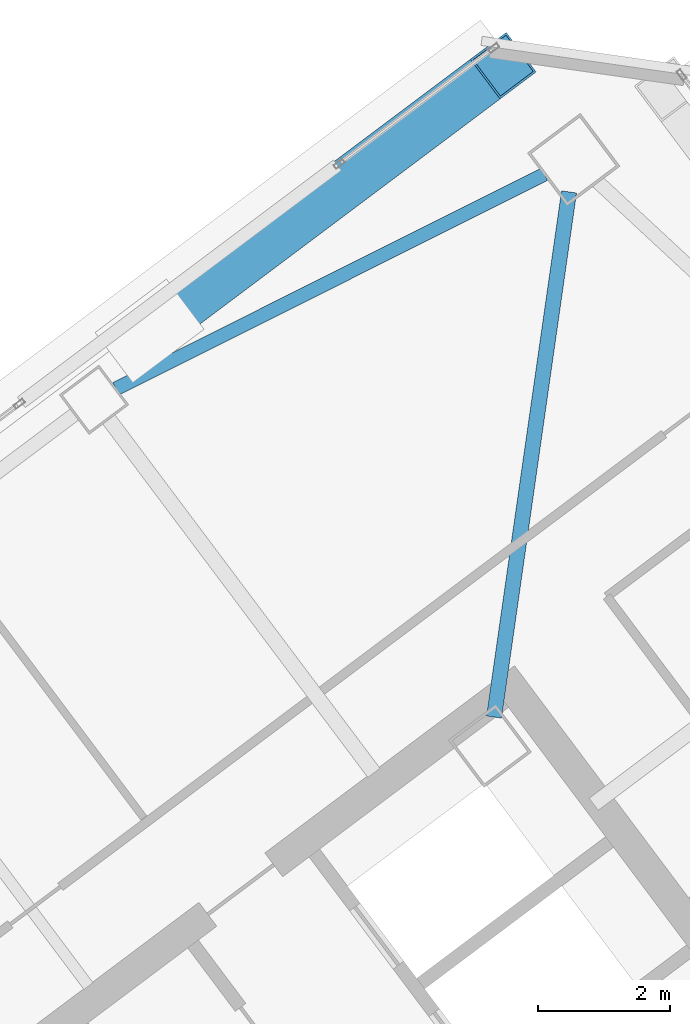
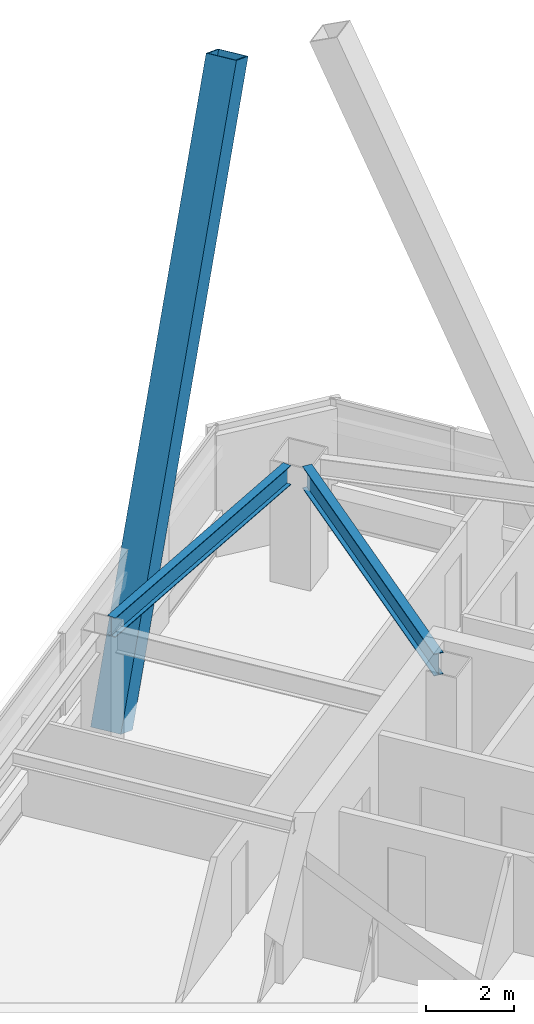
# One storey, part 41 of 56: 2 beams, 1 member.
"""IFC4 building model written with IfcOpenShell, lengths in metres."""

from ifc_helpers import new_model, si_unit, direction, frame, origin, origin_2d, place, context, subcontext, project, spatial, hollow_rectangle, i_section, extrude, material, material_profile, profile_set, type_object, element, save


model = new_model("IFC4")

# Units and contexts
model_context = context("Model", 3, precision=1e-05, world=origin(), true_north=direction((0.0, 1.0)))
body_context = subcontext(model_context, "Body", "Model", "MODEL_VIEW")
ifc_project = project(units=[si_unit("LENGTHUNIT", "METRE"), si_unit("AREAUNIT", "SQUARE_METRE"), si_unit("VOLUMEUNIT", "CUBIC_METRE"), si_unit("PLANEANGLEUNIT", "RADIAN"), si_unit("MASSUNIT", "GRAM", prefix="KILO")], contexts=[model_context])

# Site, building, storey
site_placement = place(None, origin())
site = spatial("IfcSite", under=ifc_project, at=site_placement, CompositionType="ELEMENT")
building_placement = place(site_placement, origin())
building = spatial("IfcBuilding", under=site, at=building_placement, Name="Tashvorn Skyway Center", CompositionType="ELEMENT")
storey_placement = place(building_placement, frame((0.0, 0.0, 218.39990234375)))
storey = spatial("IfcBuildingStorey", under=building, at=storey_placement, Name="L59", CompositionType="ELEMENT", Elevation=218.39990234375)

# Beams
ifc_material_1 = material(Name="Steel ASTM A992 Grade 50", Category="steel")
ifc_material_profile_1 = material_profile(ifc_material_1, i_section(OverallWidth=0.22998046875, OverallDepth=0.616943359375, WebThickness=0.01318359375, FlangeThickness=0.022216796875, at=origin_2d()), Name="W24X94")
ifc_profile_set_1 = profile_set([ifc_material_profile_1], Name="Steel ASTM A992 Grade 50")
beam_type_1 = type_object("IfcBeamType", Name="BM-BEAM-W24X94", PredefinedType="BEAM", material=ifc_profile_set_1)
beam_1_placement = place(storey_placement, frame((116.610107421875, 50.27001953125, 3.0615234375), z_axis=(-0.141438360399, -0.989947064346, 0.0), x_axis=(0.989947064346, -0.141438360399, 0.0)))
element("IfcBeam", 1, at=beam_1_placement, inside=storey, type_object=beam_type_1, Name="Tower 2 L59 Primary Floor Girder MC-NE", PredefinedType="BEAM", context=body_context, shape_type="SweptSolid", body=[
    extrude(i_section(OverallWidth=0.22998046875, OverallDepth=0.616943359375, WebThickness=0.01318359375, FlangeThickness=0.022216796875, at=origin_2d()), origin(), (0.0, 0.0, 1.0), 8.040283203125),
])
ifc_material_profile_2 = material_profile(ifc_material_1, i_section(OverallWidth=0.2109375, OverallDepth=0.5390625, WebThickness=0.01171875, FlangeThickness=0.018798828125, at=origin_2d()), Name="W21X73")
ifc_profile_set_2 = profile_set([ifc_material_profile_2], Name="Steel ASTM A992 Grade 50")
beam_type_2 = type_object("IfcBeamType", Name="BM-SPANDREL-W21X73", PredefinedType="SPANDREL", material=ifc_profile_set_2)
beam_2_placement = place(storey_placement, frame((116.2373046875, 50.538330078125, 3.1005859375), z_axis=(-0.894178380472, -0.447710870872, 0.0), x_axis=(0.447710870872, -0.894178380472, 0.0)))
element("IfcBeam", 2, at=beam_2_placement, inside=storey, type_object=beam_type_2, Name="Tower 2 L59 Spandrel Beam 07", PredefinedType="SPANDREL", context=body_context, shape_type="SweptSolid", body=[
    extrude(i_section(OverallWidth=0.2109375, OverallDepth=0.5390625, WebThickness=0.01171875, FlangeThickness=0.018798828125, at=origin_2d()), origin(), (0.0, 0.0, 1.0), 7.26513671875),
])

# Member
ifc_material_2 = material(Name="Steel ASTM A572 Grade 50", Category="steel")
ifc_material_profile_3 = material_profile(ifc_material_2, hollow_rectangle(XDim=0.75, YDim=0.75, WallThickness=0.031982421875, at=origin_2d()), Name="BOX750x750x32")
ifc_profile_set_3 = profile_set([ifc_material_profile_3], Name="Steel ASTM A572 Grade 50")
member_type = type_object("IfcMemberType", Name="MEM-MB-750", PredefinedType="BRACE", material=ifc_profile_set_3)
member_placement = place(storey_placement, frame((110.251953125, 48.1640625, -0.449951171875), z_axis=(0.337098676152, 0.252820168596, 0.906888330991), x_axis=(-0.599994169845, 0.800004372583, 0.0)))
element("IfcMember", 3, at=member_placement, inside=storey, type_object=member_type, Name="Tower 2 Zone 5 N Chevron Mega-Brace L2", PredefinedType="BRACE", context=body_context, shape_type="SweptSolid", body=[
    extrude(hollow_rectangle(XDim=0.75, YDim=0.75, WallThickness=0.031982421875, at=origin_2d()), origin(), (0.0, 0.0, 1.0), 15.900634765625),
])

save(model, "model.ifc")
